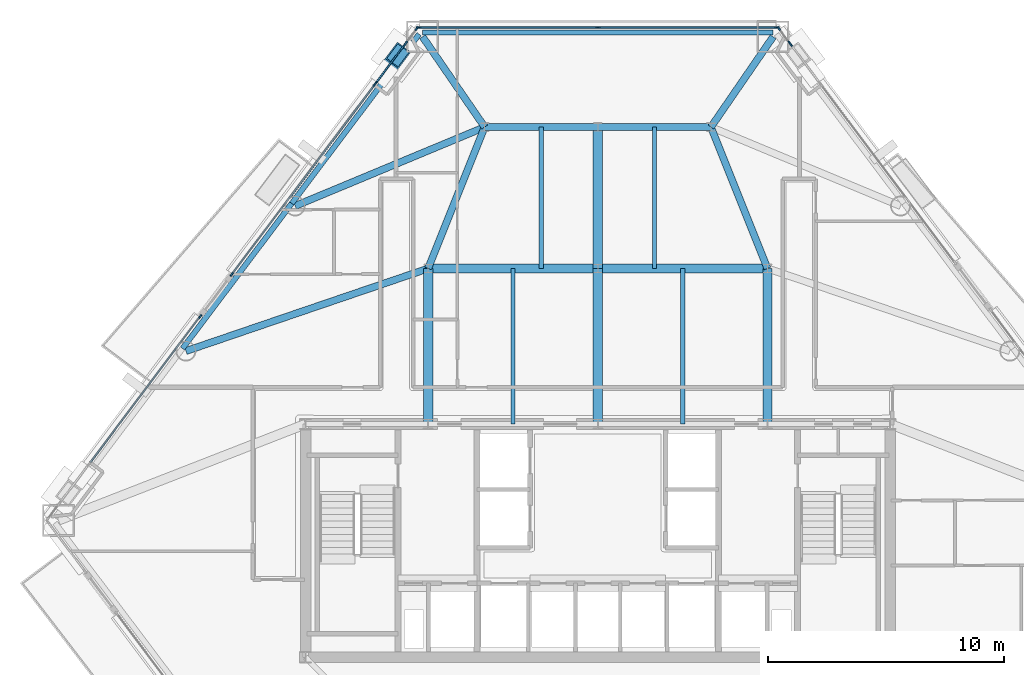
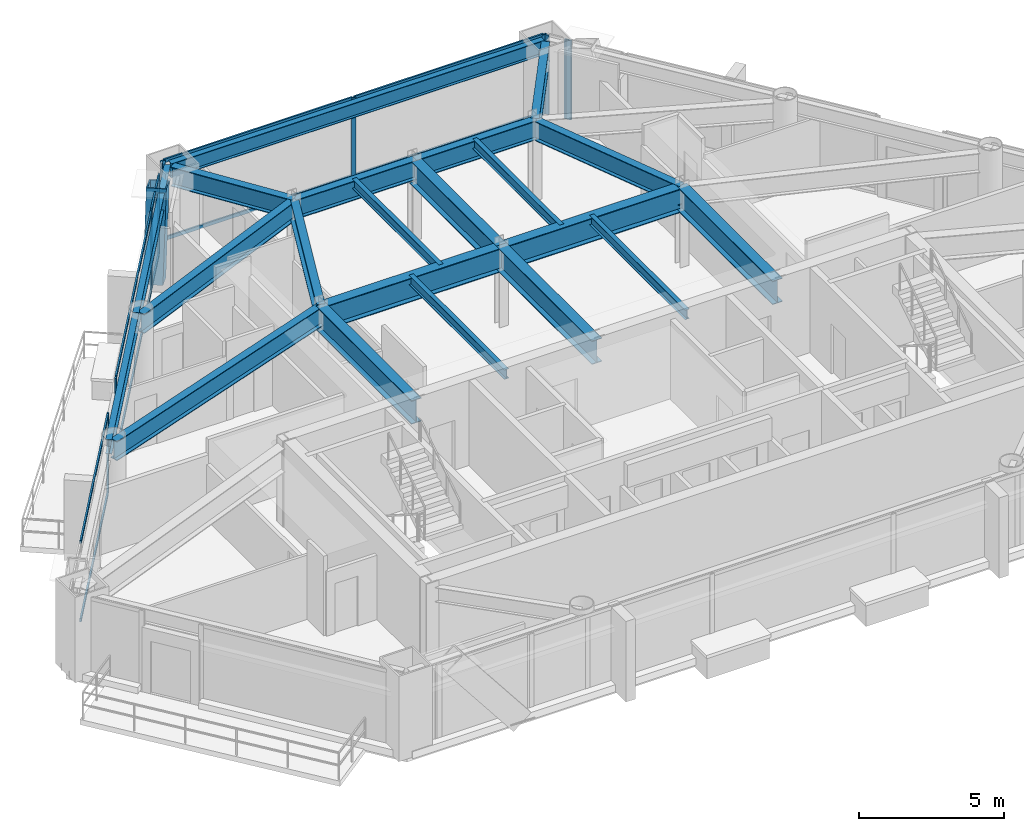
# One storey, part 3 of 14: 24 members, 21 beams, 7 elements without a shape of their own.
"""IFC4 building model written with IfcOpenShell, lengths in metres."""

from ifc_helpers import new_model, si_unit, direction, frame, origin, origin_2d, place, context, subcontext, project, spatial, rectangle, hollow_rectangle, i_section, extrude, material, layer, layer_set, material_profile, profile_set, type_object, element, aggregate, save


model = new_model("IFC4")

# Units and contexts
model_context = context("Model", 3, precision=1e-05, world=origin(), true_north=direction((0.0, 1.0)))
body_context = subcontext(model_context, "Body", "Model", "MODEL_VIEW")
ifc_project = project(units=[si_unit("LENGTHUNIT", "METRE"), si_unit("AREAUNIT", "SQUARE_METRE"), si_unit("VOLUMEUNIT", "CUBIC_METRE"), si_unit("PLANEANGLEUNIT", "RADIAN"), si_unit("MASSUNIT", "GRAM", prefix="KILO")], contexts=[model_context])

# Site, building, storey
site_placement = place(None, origin())
site = spatial("IfcSite", under=ifc_project, at=site_placement, CompositionType="ELEMENT")
building_placement = place(site_placement, origin())
building = spatial("IfcBuilding", under=site, at=building_placement, Name="Talgorran Terracotta Tower", CompositionType="ELEMENT")
storey_placement = place(building_placement, frame((0.0, 0.0, 53.10009765625)))
storey = spatial("IfcBuildingStorey", under=building, at=storey_placement, Name="L13", CompositionType="ELEMENT", Elevation=53.10009765625)

# Beams
ifc_material_1 = material(Name="Steel Grade 350 (350L0)", Category="steel")
ifc_material_profile_1 = material_profile(ifc_material_1, i_section(OverallWidth=0.39990234375, OverallDepth=1.0, WebThickness=0.01611328125, FlangeThickness=0.031005859375, at=origin_2d()), Name="1000WB296")
ifc_profile_set_1 = profile_set([ifc_material_profile_1], Name="Steel Grade 350 (350L0)")
beam_type_1 = type_object("IfcBeamType", Name="BM_1000WB296", PredefinedType="BEAM", material=ifc_profile_set_1)
for number, where, z_axis, x_axis, name in (
    (1, (-7.199951171875, -4.199951171875, 2.849853515625), (0.0, 1.0, 0.0), (-1.0, 0.0, 0.0), "L13 Floor Girder G01"),
    (2, (0.0, -4.199951171875, 2.849853515625), (0.0, 1.0, 0.0), (-1.0, 0.0, 0.0), "L13 Floor Girder G02"),
    (3, (7.199951171875, -4.199951171875, 2.849853515625), (0.0, 1.0, 0.0), (-1.0, 0.0, 0.0), "L13 Floor Girder G03"),
):
    element("IfcBeam", number, at=place(storey_placement, frame(where, z_axis=z_axis, x_axis=x_axis)), inside=storey, type_object=beam_type_1, Name=name, PredefinedType="BEAM", context=body_context, shape_type="SweptSolid", body=[
        extrude(i_section(OverallWidth=0.39990234375, OverallDepth=1.0, WebThickness=0.01611328125, FlangeThickness=0.031005859375, at=origin_2d()), origin(), (0.0, 0.0, 1.0), 6.599853515625),
    ])
for number, where, z_axis, x_axis, name in (
    (4, (-7.199951171875, 2.39990234375, 2.849853515625), (1.0, 0.0, 0.0), (0.0, 1.0, 0.0), "L13 Floor Girder G04"),
    (5, (0.0, 2.39990234375, 2.849853515625), (1.0, 0.0, 0.0), (0.0, 1.0, 0.0), "L13 Floor Girder G05"),
):
    element("IfcBeam", number, at=place(storey_placement, frame(where, z_axis=z_axis, x_axis=x_axis)), inside=storey, type_object=beam_type_1, Name=name, PredefinedType="BEAM", context=body_context, shape_type="SweptSolid", body=[
        extrude(i_section(OverallWidth=0.39990234375, OverallDepth=1.0, WebThickness=0.01611328125, FlangeThickness=0.031005859375, at=origin_2d()), origin(), (0.0, 0.0, 1.0), 7.199951171875),
    ])
beam_1_placement = place(storey_placement, frame((0.0, 2.39990234375, 2.849853515625), z_axis=(0.0, 1.0, 0.0), x_axis=(-1.0, 0.0, 0.0)))
element("IfcBeam", 6, at=beam_1_placement, inside=storey, type_object=beam_type_1, Name="L13 Floor Girder G09", PredefinedType="BEAM", context=body_context, shape_type="SweptSolid", body=[
    extrude(i_section(OverallWidth=0.39990234375, OverallDepth=1.0, WebThickness=0.01611328125, FlangeThickness=0.031005859375, at=origin_2d()), origin(), (0.0, 0.0, 1.0), 6.0),
])
ifc_material_2 = material(Name="Steel S355 (300PLUS)", Category="steel")
ifc_material_profile_2 = material_profile(ifc_material_2, i_section(OverallWidth=0.300048828125, OverallDepth=0.81591796875, WebThickness=0.013916015625, FlangeThickness=0.028076171875, at=origin_2d()), Name="800WB192")
ifc_profile_set_2 = profile_set([ifc_material_profile_2], Name="Steel S355 (300PLUS)")
beam_type_2 = type_object("IfcBeamType", Name="BM_800WB192", PredefinedType="BEAM", material=ifc_profile_set_2)
beam_2_placement = place(storey_placement, frame((-7.199951171875, 2.39990234375, 2.94189453125), z_axis=(-0.94650066869, -0.322701850274, 0.0), x_axis=(0.322701850274, -0.94650066869, 0.0)))
element("IfcBeam", 7, at=beam_2_placement, inside=storey, type_object=beam_type_2, Name="L13 Floor Girder G06", PredefinedType="BEAM", context=body_context, shape_type="SweptSolid", body=[
    extrude(i_section(OverallWidth=0.300048828125, OverallDepth=0.81591796875, WebThickness=0.013916015625, FlangeThickness=0.028076171875, at=origin_2d()), origin(), (0.0, 0.0, 1.0), 10.859619140625),
])
for number, where, z_axis, x_axis, name in (
    (8, (-7.199951171875, 2.39990234375, 2.94189453125), (0.371377648723, 0.928481901832, 0.0), (-0.928481901832, 0.371377648723, 0.0), "L13 Floor Girder G08"),
    (9, (7.199951171875, 2.39990234375, 2.94189453125), (-0.371377648723, 0.928481901832, 0.0), (-0.928481901832, -0.371377648723, 0.0), "L13 Floor Girder G10"),
):
    element("IfcBeam", number, at=place(storey_placement, frame(where, z_axis=z_axis, x_axis=x_axis)), inside=storey, type_object=beam_type_2, Name=name, PredefinedType="BEAM", context=body_context, shape_type="SweptSolid", body=[
        extrude(i_section(OverallWidth=0.300048828125, OverallDepth=0.81591796875, WebThickness=0.013916015625, FlangeThickness=0.028076171875, at=origin_2d()), origin(), (0.0, 0.0, 1.0), 6.462158203125),
    ])
for number, where, z_axis, x_axis, name in (
    (10, (-4.800048828125, 8.39990234375, 2.94189453125), (1.0, 0.0, 0.0), (0.0, 1.0, 0.0), "L13 Floor Girder G11"),
    (11, (0.0, 8.39990234375, 2.94189453125), (1.0, 0.0, 0.0), (0.0, 1.0, 0.0), "L13 Floor Girder G12"),
):
    element("IfcBeam", number, at=place(storey_placement, frame(where, z_axis=z_axis, x_axis=x_axis)), inside=storey, type_object=beam_type_2, Name=name, PredefinedType="BEAM", context=body_context, shape_type="SweptSolid", body=[
        extrude(i_section(OverallWidth=0.300048828125, OverallDepth=0.81591796875, WebThickness=0.013916015625, FlangeThickness=0.028076171875, at=origin_2d()), origin(), (0.0, 0.0, 1.0), 4.800048828125),
    ])
beam_3_placement = place(storey_placement, frame((-4.800048828125, 8.39990234375, 2.94189453125), z_axis=(-0.923207843364, -0.384301025177, 0.0), x_axis=(0.384301025177, -0.923207843364, 0.0)))
element("IfcBeam", 12, at=beam_3_placement, inside=storey, type_object=beam_type_2, Name="L13 Floor Girder G13", PredefinedType="BEAM", context=body_context, shape_type="SweptSolid", body=[
    extrude(i_section(OverallWidth=0.300048828125, OverallDepth=0.81591796875, WebThickness=0.013916015625, FlangeThickness=0.028076171875, at=origin_2d()), origin(), (0.0, 0.0, 1.0), 8.713623046875),
])
for number, where, z_axis, x_axis, name in (
    (13, (-4.800048828125, 8.39990234375, 2.94189453125), (-0.56684497014, 0.823824483629, 0.0), (-0.823824483629, -0.56684497014, 0.0), "L13 Floor Girder G15"),
    (14, (4.800048828125, 8.39990234375, 2.94189453125), (0.56684497014, 0.823824483629, 0.0), (-0.823824483629, 0.56684497014, 0.0), "L13 Floor Girder G16"),
):
    element("IfcBeam", number, at=place(storey_placement, frame(where, z_axis=z_axis, x_axis=x_axis)), inside=storey, type_object=beam_type_2, Name=name, PredefinedType="BEAM", context=body_context, shape_type="SweptSolid", body=[
        extrude(i_section(OverallWidth=0.300048828125, OverallDepth=0.81591796875, WebThickness=0.013916015625, FlangeThickness=0.028076171875, at=origin_2d()), origin(), (0.0, 0.0, 1.0), 4.6533203125),
    ])
ifc_material_profile_3 = material_profile(ifc_material_2, i_section(OverallWidth=0.177734375, OverallDepth=0.406494140625, WebThickness=0.0078125, FlangeThickness=0.0126953125, at=origin_2d()), Name="410UB59.7")
ifc_profile_set_3 = profile_set([ifc_material_profile_3], Name="Steel S355 (300PLUS)")
beam_type_3 = type_object("IfcBeamType", Name="BM_JS_410UB60", PredefinedType="JOIST", material=ifc_profile_set_3)
for number, where, z_axis, x_axis, name in (
    (15, (-3.60009765625, -4.199951171875, 3.146728515625), (0.0, 1.0, 0.0), (-1.0, 0.0, 0.0), "L13 Secondary Joist J01"),
    (16, (3.60009765625, -4.199951171875, 3.146728515625), (0.0, 1.0, 0.0), (-1.0, 0.0, 0.0), "L13 Secondary Joist J02"),
):
    element("IfcBeam", number, at=place(storey_placement, frame(where, z_axis=z_axis, x_axis=x_axis)), inside=storey, type_object=beam_type_3, Name=name, PredefinedType="JOIST", context=body_context, shape_type="SweptSolid", body=[
        extrude(i_section(OverallWidth=0.177734375, OverallDepth=0.406494140625, WebThickness=0.0078125, FlangeThickness=0.0126953125, at=origin_2d()), origin(), (0.0, 0.0, 1.0), 6.599853515625),
    ])
for number, where, z_axis, x_axis, name in (
    (17, (-2.39990234375, 2.39990234375, 3.146728515625), (0.0, 1.0, 0.0), (-1.0, 0.0, 0.0), "L13 Secondary Joist J03"),
    (18, (2.39990234375, 2.39990234375, 3.146728515625), (0.0, 1.0, 0.0), (-1.0, 0.0, 0.0), "L13 Secondary Joist J04"),
):
    element("IfcBeam", number, at=place(storey_placement, frame(where, z_axis=z_axis, x_axis=x_axis)), inside=storey, type_object=beam_type_3, Name=name, PredefinedType="JOIST", context=body_context, shape_type="SweptSolid", body=[
        extrude(i_section(OverallWidth=0.177734375, OverallDepth=0.406494140625, WebThickness=0.0078125, FlangeThickness=0.0126953125, at=origin_2d()), origin(), (0.0, 0.0, 1.0), 6.0),
    ])
ifc_material_profile_4 = material_profile(ifc_material_2, i_section(OverallWidth=0.22900390625, OverallDepth=0.611572265625, WebThickness=0.011962890625, FlangeThickness=0.01953125, at=origin_2d()), Name="610UB125")
ifc_profile_set_4 = profile_set([ifc_material_profile_4], Name="Steel S355 (300PLUS)")
beam_type_4 = type_object("IfcBeamType", Name="BM_SP_610UB125", PredefinedType="SPANDREL", material=ifc_profile_set_4)
beam_4_placement = place(storey_placement, frame((7.437744140625, 12.413330078125, 3.044189453125), z_axis=(-1.0, 0.0, 0.0), x_axis=(0.0, -1.0, 0.0)))
element("IfcBeam", 19, at=beam_4_placement, inside=storey, type_object=beam_type_4, Name="L13 Perimeter Spandrel Beam MC5-MC6", PredefinedType="SPANDREL", context=body_context, shape_type="SweptSolid", body=[
    extrude(i_section(OverallWidth=0.22900390625, OverallDepth=0.611572265625, WebThickness=0.011962890625, FlangeThickness=0.01953125, at=origin_2d()), origin(), (0.0, 0.0, 1.0), 14.87548828125),
])
beam_5_placement = place(storey_placement, frame((-7.58154296875, 12.341552734375, 3.044189453125), z_axis=(-0.601446008666, -0.798913448791, 0.0), x_axis=(0.798913448791, -0.601446008666, 0.0)))
element("IfcBeam", 20, at=beam_5_placement, inside=storey, type_object=beam_type_4, Name="L13 Perimeter Spandrel Beam MC6-FC5", PredefinedType="SPANDREL", context=body_context, shape_type="SweptSolid", body=[
    extrude(i_section(OverallWidth=0.22900390625, OverallDepth=0.611572265625, WebThickness=0.011962890625, FlangeThickness=0.01953125, at=origin_2d()), origin(), (0.0, 0.0, 1.0), 8.989501953125),
])
beam_6_placement = place(storey_placement, frame((-12.98828125, 5.15966796875, 3.044189453125), z_axis=(-0.601413481794, -0.798937934959, 0.0), x_axis=(0.798937934959, -0.601413481794, 0.0)))
element("IfcBeam", 21, at=beam_6_placement, inside=storey, type_object=beam_type_4, Name="L13 Perimeter Spandrel Beam FC5-FC6", PredefinedType="SPANDREL", context=body_context, shape_type="SweptSolid", body=[
    extrude(i_section(OverallWidth=0.22900390625, OverallDepth=0.611572265625, WebThickness=0.011962890625, FlangeThickness=0.01953125, at=origin_2d()), origin(), (0.0, 0.0, 1.0), 7.705322265625),
])

# Member
ifc_material_profile_5 = material_profile(ifc_material_1, hollow_rectangle(XDim=0.699951171875, YDim=0.89990234375, WallThickness=0.050048828125, at=origin_2d()), Name="WBOX900X700X50")
ifc_profile_set_5 = profile_set([ifc_material_profile_5], Name="Steel Grade 350 (350L0)")
member_type_1 = type_object("IfcMemberType", Name="MB_MEGA_900", PredefinedType="BRACE", material=ifc_profile_set_5)
member_1_placement = place(storey_placement, frame((-9.0634765625, 10.67236328125, -0.025146484375), z_axis=(0.164579471089, 0.218518441681, 0.961854088904), x_axis=(-0.798786555616, 0.601614526559, 0.0)))
element("IfcMember", 22, at=member_1_placement, inside=storey, type_object=member_type_1, Name="L13 Exterior Face Mega-Brace MB-1 (NWU)", PredefinedType="BRACE", context=body_context, shape_type="SweptSolid", body=[
    extrude(hollow_rectangle(XDim=0.699951171875, YDim=0.89990234375, WallThickness=0.050048828125, at=origin_2d()), origin(), (0.0, 0.0, 1.0), 3.534912109375),
])

# Curtain wall, member
ifc_material_3 = material(Name="Unitised Low-E Double Glazing", Category="glass")
ifc_layer = layer(ifc_material_3, 0.199951171875, Name="CW_SYS2_RES_LOW")
ifc_layer_set = layer_set([ifc_layer], Name="Unitised Low-E Double Glazing")
curtain_wall_type = type_object("IfcCurtainWallType", Name="CW_SYS2_RES_LOW", PredefinedType="NOTDEFINED", material=ifc_layer_set)
curtain_wall_1_placement = place(storey_placement, origin())
curtain_wall_1 = element("IfcCurtainWall", 23, at=curtain_wall_1_placement, inside=storey, type_object=curtain_wall_type, Name="CW-L13-F41B", PredefinedType="NOTDEFINED")
ifc_material_4 = material(Name="Architectural Aluminium 6063-T6", Category="aluminium")
ifc_material_profile_6 = material_profile(ifc_material_4, rectangle(XDim=0.06494140625, YDim=0.18505859375, at=origin_2d()), Name="CWM65X185")
ifc_profile_set_6 = profile_set([ifc_material_profile_6], Name="Architectural Aluminium 6063-T6")
member_type_2 = type_object("IfcMemberType", Name="MUL_65X185", PredefinedType="MULLION", material=ifc_profile_set_6)
member_2_placement = place(storey_placement, frame((8.185791015625, 11.904541015625, 0.0), z_axis=(0.0, 0.0, 1.0), x_axis=(-0.798918969813, -0.601438674906, 0.0)))
member_2 = element("IfcMember", 24, at=member_2_placement, type_object=member_type_2, Name="CW-L13-41B mullion 2", PredefinedType="MULLION", context=body_context, shape_type="SweptSolid", body=[
    extrude(rectangle(XDim=0.06494140625, YDim=0.18505859375, at=origin_2d()), origin(), (0.0, 0.0, 1.0), 3.349853515625),
])
aggregate(curtain_wall_1, [member_2])

# Curtain wall, members
curtain_wall_2_placement = place(storey_placement, origin())
curtain_wall_2 = element("IfcCurtainWall", 25, at=curtain_wall_2_placement, inside=storey, type_object=curtain_wall_type, Name="CW-L13-F41C", PredefinedType="NOTDEFINED")
member_3_placement = place(storey_placement, frame((8.140625, 11.964599609375, 0.0), z_axis=(0.0, 0.0, 1.0), x_axis=(-0.798913702818, -0.601445671238, 0.0)))
member_3 = element("IfcMember", 26, at=member_3_placement, type_object=member_type_2, Name="CW-L13-41C mullion 1", PredefinedType="MULLION", context=body_context, shape_type="SweptSolid", body=[
    extrude(rectangle(XDim=0.06494140625, YDim=0.18505859375, at=origin_2d()), origin(), (0.0, 0.0, 1.0), 3.349853515625),
])
member_4_placement = place(storey_placement, frame((7.680908203125, 12.575439453125, 0.0), z_axis=(0.0, 0.0, 1.0), x_axis=(-0.798913702818, -0.601445671238, 0.0)))
member_4 = element("IfcMember", 27, at=member_4_placement, type_object=member_type_2, Name="CW-L13-41C mullion 2", PredefinedType="MULLION", context=body_context, shape_type="SweptSolid", body=[
    extrude(rectangle(XDim=0.06494140625, YDim=0.18505859375, at=origin_2d()), origin(), (0.0, 0.0, 1.0), 3.349853515625),
])
aggregate(curtain_wall_2, [member_3, member_4])

curtain_wall_3_placement = place(storey_placement, origin())
curtain_wall_3 = element("IfcCurtainWall", 28, at=curtain_wall_3_placement, inside=storey, type_object=curtain_wall_type, Name="CW-L13-F4", PredefinedType="NOTDEFINED")
member_5_placement = place(storey_placement, frame((7.604736328125, 12.63330078125, 0.0), z_axis=(0.0, 0.0, 1.0), x_axis=(0.0, -1.0, 0.0)))
member_5 = element("IfcMember", 29, at=member_5_placement, type_object=member_type_2, Name="CW-L13-4 mullion 1", PredefinedType="MULLION", context=body_context, shape_type="SweptSolid", body=[
    extrude(rectangle(XDim=0.06494140625, YDim=0.18505859375, at=origin_2d()), origin(), (0.0, 0.0, 1.0), 3.349853515625),
])
member_6_placement = place(storey_placement, frame((0.0, 12.63330078125, 0.0), z_axis=(0.0, 0.0, 1.0), x_axis=(0.0, -1.0, 0.0)))
member_6 = element("IfcMember", 30, at=member_6_placement, type_object=member_type_2, Name="CW-L13-4 mullion 2", PredefinedType="MULLION", context=body_context, shape_type="SweptSolid", body=[
    extrude(rectangle(XDim=0.06494140625, YDim=0.18505859375, at=origin_2d()), origin(), (0.0, 0.0, 1.0), 3.349853515625),
])
member_7_placement = place(storey_placement, frame((-7.604736328125, 12.63330078125, 0.0), z_axis=(0.0, 0.0, 1.0), x_axis=(0.0, -1.0, 0.0)))
member_7 = element("IfcMember", 31, at=member_7_placement, type_object=member_type_2, Name="CW-L13-4 mullion 3", PredefinedType="MULLION", context=body_context, shape_type="SweptSolid", body=[
    extrude(rectangle(XDim=0.06494140625, YDim=0.18505859375, at=origin_2d()), origin(), (0.0, 0.0, 1.0), 3.349853515625),
])

curtain_wall_4_placement = place(storey_placement, origin())
curtain_wall_4 = element("IfcCurtainWall", 32, at=curtain_wall_4_placement, inside=storey, type_object=curtain_wall_type, Name="CW-L13-F60", PredefinedType="NOTDEFINED")
member_8_placement = place(storey_placement, frame((-7.680908203125, 12.575439453125, 0.0), z_axis=(0.0, 0.0, 1.0), x_axis=(0.798913702818, -0.601445671238, 0.0)))
member_8 = element("IfcMember", 33, at=member_8_placement, type_object=member_type_2, Name="CW-L13-60 mullion 1", PredefinedType="MULLION", context=body_context, shape_type="SweptSolid", body=[
    extrude(rectangle(XDim=0.06494140625, YDim=0.18505859375, at=origin_2d()), origin(), (0.0, 0.0, 1.0), 3.349853515625),
])
member_9_placement = place(storey_placement, frame((-8.140625, 11.964599609375, 0.0), z_axis=(0.0, 0.0, 1.0), x_axis=(0.798913702818, -0.601445671238, 0.0)))
member_9 = element("IfcMember", 34, at=member_9_placement, type_object=member_type_2, Name="CW-L13-60 mullion 2", PredefinedType="MULLION", context=body_context, shape_type="SweptSolid", body=[
    extrude(rectangle(XDim=0.06494140625, YDim=0.18505859375, at=origin_2d()), origin(), (0.0, 0.0, 1.0), 3.349853515625),
])
aggregate(curtain_wall_4, [member_8, member_9])

curtain_wall_5_placement = place(storey_placement, origin())
curtain_wall_5 = element("IfcCurtainWall", 35, at=curtain_wall_5_placement, inside=storey, type_object=curtain_wall_type, Name="CW-L13-F60B", PredefinedType="NOTDEFINED")
member_10_placement = place(storey_placement, frame((-8.185791015625, 11.904541015625, 0.0), z_axis=(0.0, 0.0, 1.0), x_axis=(0.798918969813, -0.601438674906, 0.0)))
member_10 = element("IfcMember", 36, at=member_10_placement, type_object=member_type_2, Name="CW-L13-60B mullion 1", PredefinedType="MULLION", context=body_context, shape_type="SweptSolid", body=[
    extrude(rectangle(XDim=0.06494140625, YDim=0.18505859375, at=origin_2d()), origin(), (0.0, 0.0, 1.0), 3.349853515625),
])
member_11_placement = place(storey_placement, frame((-9.42333984375, 10.2607421875, 0.0), z_axis=(0.0, 0.0, 1.0), x_axis=(0.798918969813, -0.601438674906, 0.0)))
member_11 = element("IfcMember", 37, at=member_11_placement, type_object=member_type_2, Name="CW-L13-60B mullion 2", PredefinedType="MULLION", context=body_context, shape_type="SweptSolid", body=[
    extrude(rectangle(XDim=0.06494140625, YDim=0.18505859375, at=origin_2d()), origin(), (0.0, 0.0, 1.0), 3.349853515625),
])

curtain_wall_6_placement = place(storey_placement, origin())
curtain_wall_6 = element("IfcCurtainWall", 38, at=curtain_wall_6_placement, inside=storey, type_object=curtain_wall_type, Name="CW-L13-F60C", PredefinedType="NOTDEFINED")
member_12_placement = place(storey_placement, frame((-9.468505859375, 10.20068359375, 0.0), z_axis=(0.0, 0.0, 1.0), x_axis=(0.79891683194, -0.601441514732, 0.0)))
member_12 = element("IfcMember", 39, at=member_12_placement, type_object=member_type_2, Name="CW-L13-60C mullion 1", PredefinedType="MULLION", context=body_context, shape_type="SweptSolid", body=[
    extrude(rectangle(XDim=0.06494140625, YDim=0.18505859375, at=origin_2d()), origin(), (0.0, 0.0, 1.0), 3.349853515625),
])
member_13_placement = place(storey_placement, frame((-15.533447265625, 2.144287109375, 0.0), z_axis=(0.0, 0.0, 1.0), x_axis=(0.79891683194, -0.601441514732, 0.0)))
member_13 = element("IfcMember", 40, at=member_13_placement, type_object=member_type_2, Name="CW-L13-60C mullion 2", PredefinedType="MULLION", context=body_context, shape_type="SweptSolid", body=[
    extrude(rectangle(XDim=0.06494140625, YDim=0.18505859375, at=origin_2d()), origin(), (0.0, 0.0, 1.0), 3.349853515625),
])

# Curtain wall, member
curtain_wall_7_placement = place(storey_placement, origin())
curtain_wall_7 = element("IfcCurtainWall", 41, at=curtain_wall_7_placement, inside=storey, type_object=curtain_wall_type, Name="CW-L13-F61", PredefinedType="NOTDEFINED")
member_14_placement = place(storey_placement, frame((-16.87158203125, 0.36669921875, 0.0), z_axis=(0.0, 0.0, 1.0), x_axis=(0.798918277152, -0.601439594999, 0.0)))
member_14 = element("IfcMember", 42, at=member_14_placement, type_object=member_type_2, Name="CW-L13-61 mullion 1", PredefinedType="MULLION", context=body_context, shape_type="SweptSolid", body=[
    extrude(rectangle(XDim=0.06494140625, YDim=0.18505859375, at=origin_2d()), origin(), (0.0, 0.0, 1.0), 3.349853515625),
])

# Member
ifc_material_profile_7 = material_profile(ifc_material_4, rectangle(XDim=0.06494140625, YDim=0.14990234375, at=origin_2d()), Name="CWT65X150")
ifc_profile_set_7 = profile_set([ifc_material_profile_7], Name="Architectural Aluminium 6063-T6")
member_type_3 = type_object("IfcMemberType", Name="TRN_65X150", PredefinedType="USERDEFINED", material=ifc_profile_set_7)
member_15_placement = place(storey_placement, frame((7.572265625, 12.63330078125, 0.032470703125), z_axis=(-1.0, 0.0, 0.0), x_axis=(0.0, -1.0, 0.0)))
member_15 = element("IfcMember", 43, at=member_15_placement, type_object=member_type_3, Name="CW-L13-4 transom 1.1", ObjectType="TRANSOM", PredefinedType="USERDEFINED", context=body_context, shape_type="SweptSolid", body=[
    extrude(rectangle(XDim=0.06494140625, YDim=0.14990234375, at=origin_2d()), origin(), (0.0, 0.0, 1.0), 7.539794921875),
])

member_16_placement = place(storey_placement, frame((7.572265625, 12.63330078125, 3.3173828125), z_axis=(-1.0, 0.0, 0.0), x_axis=(0.0, -1.0, 0.0)))
member_16 = element("IfcMember", 44, at=member_16_placement, type_object=member_type_3, Name="CW-L13-4 transom 1.2", ObjectType="TRANSOM", PredefinedType="USERDEFINED", context=body_context, shape_type="SweptSolid", body=[
    extrude(rectangle(XDim=0.06494140625, YDim=0.14990234375, at=origin_2d()), origin(), (0.0, 0.0, 1.0), 7.539794921875),
])

member_17_placement = place(storey_placement, frame((-0.032470703125, 12.63330078125, 0.032470703125), z_axis=(-1.0, 0.0, 0.0), x_axis=(0.0, -1.0, 0.0)))
member_17 = element("IfcMember", 45, at=member_17_placement, type_object=member_type_3, Name="CW-L13-4 transom 2.1", ObjectType="TRANSOM", PredefinedType="USERDEFINED", context=body_context, shape_type="SweptSolid", body=[
    extrude(rectangle(XDim=0.06494140625, YDim=0.14990234375, at=origin_2d()), origin(), (0.0, 0.0, 1.0), 7.539794921875),
])

member_18_placement = place(storey_placement, frame((-0.032470703125, 12.63330078125, 3.3173828125), z_axis=(-1.0, 0.0, 0.0), x_axis=(0.0, -1.0, 0.0)))
member_18 = element("IfcMember", 46, at=member_18_placement, type_object=member_type_3, Name="CW-L13-4 transom 2.2", ObjectType="TRANSOM", PredefinedType="USERDEFINED", context=body_context, shape_type="SweptSolid", body=[
    extrude(rectangle(XDim=0.06494140625, YDim=0.14990234375, at=origin_2d()), origin(), (0.0, 0.0, 1.0), 7.539794921875),
])

aggregate(curtain_wall_3, [member_5, member_6, member_7, member_15, member_16, member_17, member_18])

member_19_placement = place(storey_placement, frame((-8.205322265625, 11.878662109375, 0.032470703125), z_axis=(-0.601430024587, -0.798925481835, 0.0), x_axis=(0.798925481835, -0.601430024587, 0.0)))
member_19 = element("IfcMember", 47, at=member_19_placement, type_object=member_type_3, Name="CW-L13-60B transom 1.1", ObjectType="TRANSOM", PredefinedType="USERDEFINED", context=body_context, shape_type="SweptSolid", body=[
    extrude(rectangle(XDim=0.06494140625, YDim=0.14990234375, at=origin_2d()), origin(), (0.0, 0.0, 1.0), 1.99267578125),
])

member_20_placement = place(storey_placement, frame((-8.205322265625, 11.878662109375, 3.3173828125), z_axis=(-0.601430024587, -0.798925481835, 0.0), x_axis=(0.798925481835, -0.601430024587, 0.0)))
member_20 = element("IfcMember", 48, at=member_20_placement, type_object=member_type_3, Name="CW-L13-60B transom 1.2", ObjectType="TRANSOM", PredefinedType="USERDEFINED", context=body_context, shape_type="SweptSolid", body=[
    extrude(rectangle(XDim=0.06494140625, YDim=0.14990234375, at=origin_2d()), origin(), (0.0, 0.0, 1.0), 1.99267578125),
])

aggregate(curtain_wall_5, [member_10, member_11, member_19, member_20])

member_21_placement = place(storey_placement, frame((-9.488037109375, 10.1748046875, 0.032470703125), z_axis=(-0.601441587618, -0.79891677707, 0.0), x_axis=(0.79891677707, -0.601441587618, 0.0)))
member_21 = element("IfcMember", 49, at=member_21_placement, type_object=member_type_3, Name="CW-L13-60C transom 1.1", ObjectType="TRANSOM", PredefinedType="USERDEFINED", context=body_context, shape_type="SweptSolid", body=[
    extrude(rectangle(XDim=0.06494140625, YDim=0.14990234375, at=origin_2d()), origin(), (0.0, 0.0, 1.0), 10.01904296875),
])

member_22_placement = place(storey_placement, frame((-9.488037109375, 10.1748046875, 3.3173828125), z_axis=(-0.601441587618, -0.79891677707, 0.0), x_axis=(0.79891677707, -0.601441587618, 0.0)))
member_22 = element("IfcMember", 50, at=member_22_placement, type_object=member_type_3, Name="CW-L13-60C transom 1.2", ObjectType="TRANSOM", PredefinedType="USERDEFINED", context=body_context, shape_type="SweptSolid", body=[
    extrude(rectangle(XDim=0.06494140625, YDim=0.14990234375, at=origin_2d()), origin(), (0.0, 0.0, 1.0), 10.01904296875),
])

aggregate(curtain_wall_6, [member_12, member_13, member_21, member_22])

member_23_placement = place(storey_placement, frame((-16.89111328125, 0.3408203125, 0.032470703125), z_axis=(-0.601432571837, -0.798923564263, 0.0), x_axis=(0.798923564263, -0.601432571837, 0.0)))
member_23 = element("IfcMember", 51, at=member_23_placement, type_object=member_type_3, Name="CW-L13-61 transom 1.1", ObjectType="TRANSOM", PredefinedType="USERDEFINED", context=body_context, shape_type="SweptSolid", body=[
    extrude(rectangle(XDim=0.06494140625, YDim=0.14990234375, at=origin_2d()), origin(), (0.0, 0.0, 1.0), 7.71142578125),
])

member_24_placement = place(storey_placement, frame((-16.89111328125, 0.3408203125, 3.3173828125), z_axis=(-0.601432571837, -0.798923564263, 0.0), x_axis=(0.798923564263, -0.601432571837, 0.0)))
member_24 = element("IfcMember", 52, at=member_24_placement, type_object=member_type_3, Name="CW-L13-61 transom 1.2", ObjectType="TRANSOM", PredefinedType="USERDEFINED", context=body_context, shape_type="SweptSolid", body=[
    extrude(rectangle(XDim=0.06494140625, YDim=0.14990234375, at=origin_2d()), origin(), (0.0, 0.0, 1.0), 7.71142578125),
])

aggregate(curtain_wall_7, [member_14, member_23, member_24])

save(model, "model.ifc")
